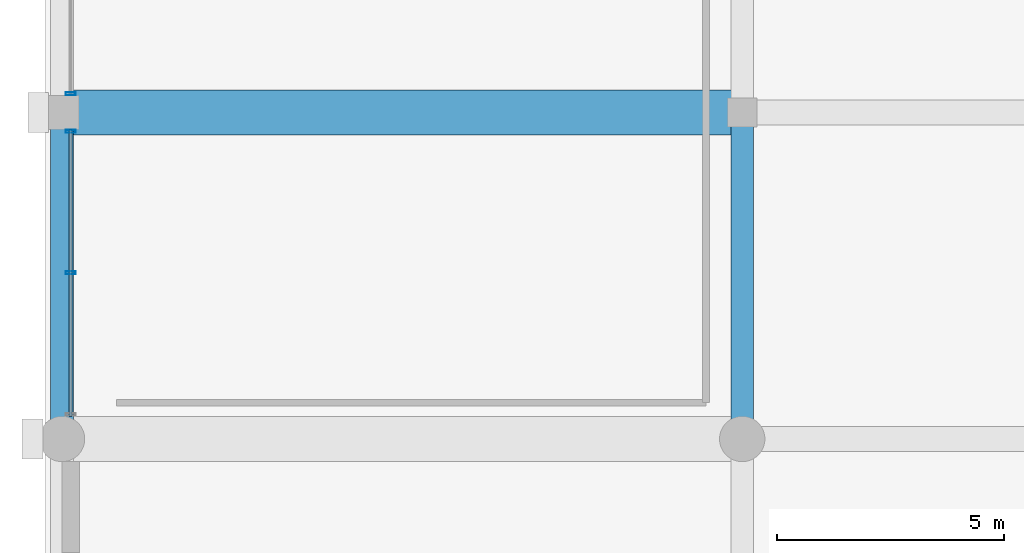
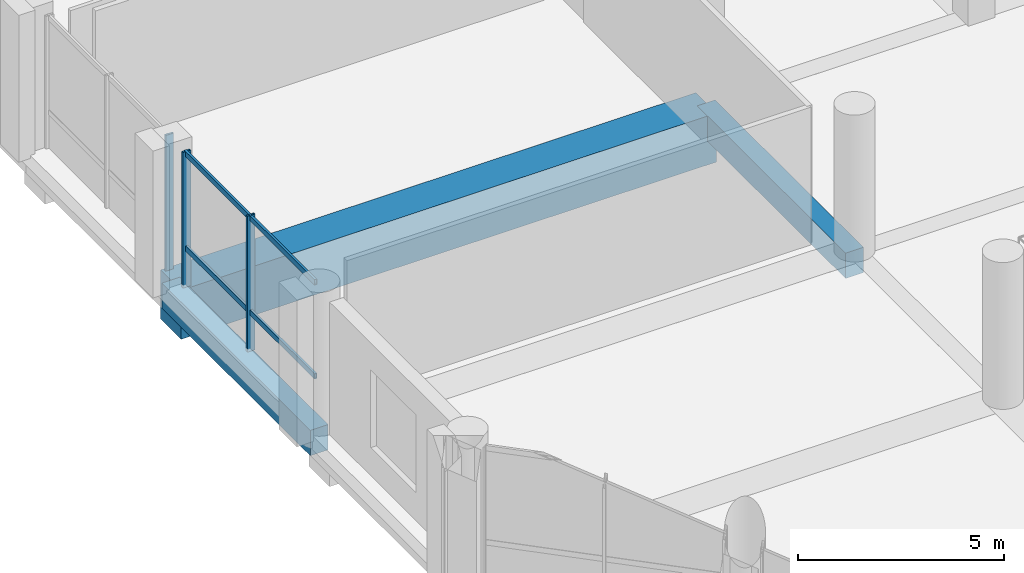
# One storey, part 11 of 64: 5 members, 3 beams, 2 elements without a shape of their own.
"""IFC4 building model written with IfcOpenShell, lengths in metres."""

from ifc_helpers import new_model, si_unit, direction, frame, origin, origin_2d, place, context, subcontext, project, spatial, rectangle, hollow_rectangle, extrude, material, material_profile, profile_set, type_object, element, aggregate, save


model = new_model("IFC4")

# Units and contexts
model_context = context("Model", 3, precision=1e-05, world=origin(), true_north=direction((0.0, 1.0)))
body_context = subcontext(model_context, "Body", "Model", "MODEL_VIEW")
ifc_project = project(units=[si_unit("LENGTHUNIT", "METRE"), si_unit("AREAUNIT", "SQUARE_METRE"), si_unit("VOLUMEUNIT", "CUBIC_METRE"), si_unit("PLANEANGLEUNIT", "RADIAN"), si_unit("MASSUNIT", "GRAM", prefix="KILO")], contexts=[model_context])

# Site, building, storey
site_placement = place(None, origin())
site = spatial("IfcSite", under=ifc_project, at=site_placement, CompositionType="ELEMENT")
building_placement = place(site_placement, origin())
building = spatial("IfcBuilding", under=site, at=building_placement, Name="Akrevak Sports Hall", CompositionType="ELEMENT")
storey_placement = place(building_placement, frame((0.0, 0.0, 4.60009765625)))
storey = spatial("IfcBuildingStorey", under=building, at=storey_placement, Name="L01", CompositionType="ELEMENT", Elevation=4.60009765625)

# Curtain wall, members
ifc_material_1 = material(Name="Anodized Bronze Aluminium & Low-E Glass", Category="aluminium")
curtain_wall_type = type_object("IfcCurtainWallType", Name="ARC-CW-POD-64x44", PredefinedType="NOTDEFINED", material=ifc_material_1)
curtain_wall_1_placement = place(storey_placement, origin())
curtain_wall_1 = element("IfcCurtainWall", 1, at=curtain_wall_1_placement, inside=storey, type_object=curtain_wall_type, Name="Curtain Wall CW-L01-W02", PredefinedType="NOTDEFINED")
ifc_material_2 = material(Name="Anodized Bronze Aluminium", Category="aluminium")
ifc_material_profile_1 = material_profile(ifc_material_2, hollow_rectangle(XDim=0.06494140625, YDim=0.219970703125, WallThickness=0.00439453125, at=origin_2d()), Name="CWM 65x220", Category="aluminium")
ifc_profile_set_1 = profile_set([ifc_material_profile_1], Name="Anodized Bronze Aluminium")
member_type_1 = type_object("IfcMemberType", Name="ARC-CWM-70x160", PredefinedType="MULLION", material=ifc_profile_set_1)
member_1_placement = place(storey_placement, frame((0.18994140625, 28.385009765625, 0.0), z_axis=(0.0, 0.0, 1.0), x_axis=(0.0, -1.0, 0.0)))
member_1 = element("IfcMember", 2, at=member_1_placement, type_object=member_type_1, Name="Curtain Wall Mullion CW-L01-W02-M1", PredefinedType="MULLION", context=body_context, shape_type="SweptSolid", body=[
    extrude(hollow_rectangle(XDim=0.06494140625, YDim=0.219970703125, WallThickness=0.00439453125, at=origin_2d()), origin(), (0.0, 0.0, 1.0), 4.02001953125),
])
member_2_placement = place(storey_placement, frame((0.18994140625, 25.262451171875, 0.0), z_axis=(0.0, 0.0, 1.0), x_axis=(0.0, -1.0, 0.0)))
member_2 = element("IfcMember", 3, at=member_2_placement, type_object=member_type_1, Name="Curtain Wall Mullion CW-L01-W02-M2", PredefinedType="MULLION", context=body_context, shape_type="SweptSolid", body=[
    extrude(hollow_rectangle(XDim=0.06494140625, YDim=0.219970703125, WallThickness=0.00439453125, at=origin_2d()), origin(), (0.0, 0.0, 1.0), 4.02001953125),
])

# Curtain wall, member
curtain_wall_2_placement = place(storey_placement, origin())
curtain_wall_2 = element("IfcCurtainWall", 4, at=curtain_wall_2_placement, inside=storey, type_object=curtain_wall_type, Name="Curtain Wall CW-L01-W03", PredefinedType="NOTDEFINED")
member_3_placement = place(storey_placement, frame((0.18994140625, 29.215087890625, 0.0), z_axis=(0.0, 0.0, 1.0), x_axis=(0.0, -1.0, 0.0)))
member_3 = element("IfcMember", 5, at=member_3_placement, type_object=member_type_1, Name="Curtain Wall Mullion CW-L01-W03-M3", PredefinedType="MULLION", context=body_context, shape_type="SweptSolid", body=[
    extrude(hollow_rectangle(XDim=0.06494140625, YDim=0.219970703125, WallThickness=0.00439453125, at=origin_2d()), origin(), (0.0, 0.0, 1.0), 4.02001953125),
])
aggregate(curtain_wall_2, [member_3])

# Member
ifc_material_profile_2 = material_profile(ifc_material_2, hollow_rectangle(XDim=0.06494140625, YDim=0.159912109375, WallThickness=0.00390625, at=origin_2d()), Name="CWT 65x160", Category="aluminium")
ifc_profile_set_2 = profile_set([ifc_material_profile_2], Name="Anodized Bronze Aluminium")
member_type_2 = type_object("IfcMemberType", Name="ARC-CWT-70x130", PredefinedType="USERDEFINED", material=ifc_profile_set_2)
member_4_placement = place(storey_placement, frame((0.18994140625, 28.425048828125, 1.14990234375), z_axis=(0.0, -1.0, 0.0), x_axis=(1.0, 0.0, 0.0)))
member_4 = element("IfcMember", 6, at=member_4_placement, type_object=member_type_2, Name="Curtain Wall Transom CW-L01-W02-T1", ObjectType="TRANSOM", PredefinedType="USERDEFINED", context=body_context, shape_type="SweptSolid", body=[
    extrude(hollow_rectangle(XDim=0.06494140625, YDim=0.159912109375, WallThickness=0.00390625, at=origin_2d()), origin(), (0.0, 0.0, 1.0), 6.324951171875),
])

member_5_placement = place(storey_placement, frame((0.18994140625, 28.425048828125, 3.93994140625), z_axis=(0.0, -1.0, 0.0), x_axis=(1.0, 0.0, 0.0)))
member_5 = element("IfcMember", 7, at=member_5_placement, type_object=member_type_2, Name="Curtain Wall Transom CW-L01-W02-T2", ObjectType="TRANSOM", PredefinedType="USERDEFINED", context=body_context, shape_type="SweptSolid", body=[
    extrude(hollow_rectangle(XDim=0.06494140625, YDim=0.159912109375, WallThickness=0.00390625, at=origin_2d()), origin(), (0.0, 0.0, 1.0), 6.324951171875),
])

aggregate(curtain_wall_1, [member_1, member_2, member_4, member_5])

# Beams
ifc_material_3 = material(Name="Concrete C50/60", Category="concrete")
ifc_material_profile_3 = material_profile(ifc_material_3, rectangle(XDim=1.0, YDim=1.449951171875, at=origin_2d()), Name="BM 1000x1450", Category="concrete")
ifc_profile_set_3 = profile_set([ifc_material_profile_3], Name="Concrete C50/60")
beam_type_1 = type_object("IfcBeamType", Name="STR-BM-LG1000x1450", PredefinedType="BEAM", material=ifc_profile_set_3)
beam_placement = place(storey_placement, frame((0.0, 28.800048828125, -0.72509765625), z_axis=(1.0, 0.0, 0.0), x_axis=(0.0, 1.0, 0.0)))
element("IfcBeam", 8, at=beam_placement, inside=storey, type_object=beam_type_1, Name="Girder E/1-3 (L01)", PredefinedType="BEAM", context=body_context, shape_type="SweptSolid", body=[
    extrude(rectangle(XDim=1.0, YDim=1.449951171875, at=origin_2d()), origin(), (0.0, 0.0, 1.0), 15.0),
])
ifc_material_4 = material(Name="Concrete C40/50", Category="concrete")
ifc_material_profile_4 = material_profile(ifc_material_4, rectangle(XDim=0.5, YDim=0.75, at=origin_2d()), Name="BM 500x750", Category="concrete")
ifc_profile_set_4 = profile_set([ifc_material_profile_4], Name="Concrete C40/50")
beam_type_2 = type_object("IfcBeamType", Name="STR-BM-RC500x750", PredefinedType="BEAM", material=ifc_profile_set_4)
for number, where, z_axis, x_axis, name in (
    (9, (0.0, 21.60009765625, -0.375), (0.0, 1.0, 0.0), (-1.0, 0.0, 0.0), "Girder 1/D-E (L01)"),
    (10, (15.0, 21.60009765625, -0.375), (0.0, 1.0, 0.0), (-1.0, 0.0, 0.0), "Girder 3/D-E (L01)"),
):
    element("IfcBeam", number, at=place(storey_placement, frame(where, z_axis=z_axis, x_axis=x_axis)), inside=storey, type_object=beam_type_2, Name=name, PredefinedType="BEAM", context=body_context, shape_type="SweptSolid", body=[
        extrude(rectangle(XDim=0.5, YDim=0.75, at=origin_2d()), origin(), (0.0, 0.0, 1.0), 7.199951171875),
    ])

save(model, "model.ifc")
